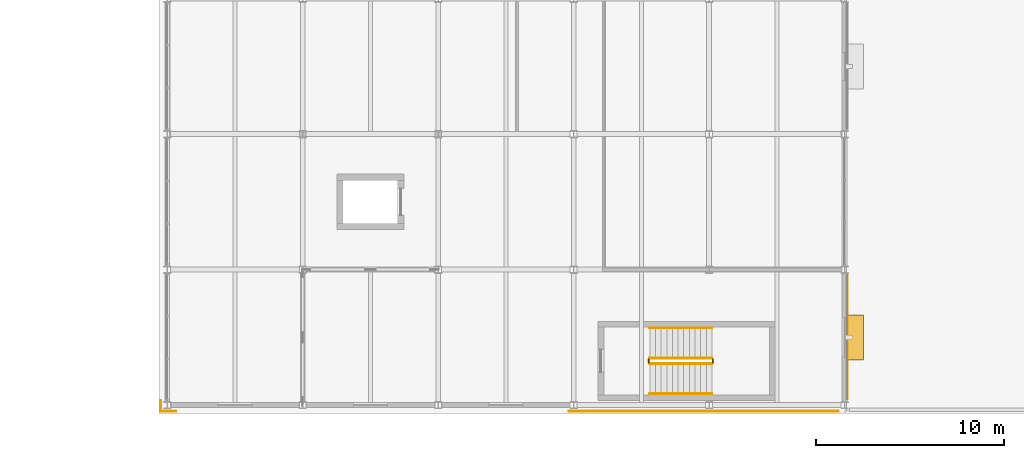
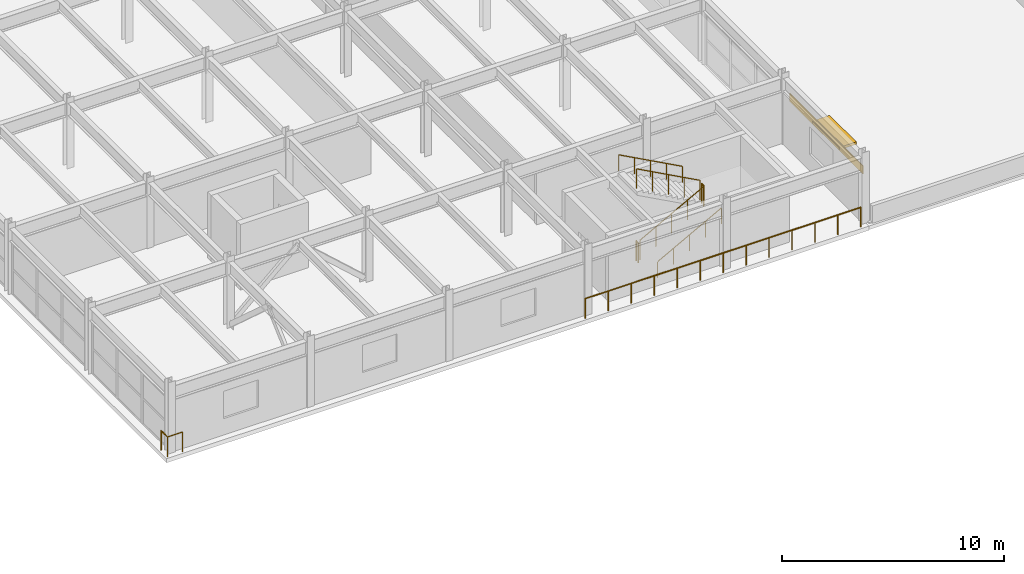
# One storey, part 71 of 80: 9 railings, 1 covering, 1 shading device.
"""IFC4 building model written with IfcOpenShell, lengths in metres."""

from ifc_helpers import new_model, si_unit, direction, frame, origin, origin_2d, place, context, subcontext, project, spatial, rectangle, circle, extrude, material, layer, layer_set, type_object, element, save


model = new_model("IFC4")

# Units and contexts
model_context = context("Model", 3, precision=1e-05, world=origin(), true_north=direction((0.0, 1.0)))
body_context = subcontext(model_context, "Body", "Model", "MODEL_VIEW")
ifc_project = project(units=[si_unit("LENGTHUNIT", "METRE"), si_unit("AREAUNIT", "SQUARE_METRE"), si_unit("VOLUMEUNIT", "CUBIC_METRE"), si_unit("PLANEANGLEUNIT", "RADIAN"), si_unit("MASSUNIT", "GRAM", prefix="KILO")], contexts=[model_context])

# Site, building, storey
site_placement = place(None, origin())
site = spatial("IfcSite", under=ifc_project, at=site_placement, CompositionType="ELEMENT")
building_placement = place(site_placement, origin())
building = spatial("IfcBuilding", under=site, at=building_placement, Name="Vaelcorin Mobility Hub", CompositionType="ELEMENT")
storey_placement = place(building_placement, frame((0.0, 0.0, 9.300048828125)))
storey = spatial("IfcBuildingStorey", under=building, at=storey_placement, Name="L02", CompositionType="ELEMENT", Elevation=9.300048828125)

# Covering
ifc_material_1 = material(Name="Extruded terracotta-bronze rainscreen panel", Category="masonry")
ifc_layer_1 = layer(ifc_material_1, 0.034912109375)
ifc_layer_set_1 = layer_set([ifc_layer_1], Name="Extruded terracotta-bronze rainscreen panel")
covering_type = type_object("IfcCoveringType", Name="COV-CLAD-35", PredefinedType="CLADDING", material=ifc_layer_set_1)
covering_placement = place(storey_placement, frame((189.739990234375, 9.60009765625, 2.35302734375), z_axis=(0.0, 0.0, 1.0), x_axis=(1.0, 0.0, 0.0)))
element("IfcCovering", 1, at=covering_placement, inside=storey, type_object=covering_type, Name="Terracotta-Bronze Facade Cladding L02-01", PredefinedType="CLADDING", context=body_context, shape_type="SweptSolid", body=[
    extrude(rectangle(XDim=0.028076171875, YDim=6.60009765625, at=origin_2d()), origin(), (0.0, 0.0, 1.0), 0.449951171875),
])

# Railings
ifc_material_2 = material(Name="Galvanised structural steel ASTM A36", Category="steel")
ifc_layer_2 = layer(ifc_material_2, 0.070068359375)
ifc_layer_set_2 = layer_set([ifc_layer_2], Name="Galvanised structural steel ASTM A36")
railing_type_1 = type_object("IfcRailingType", Name="RL-GUARD-1100", PredefinedType="BALUSTRADE", material=ifc_layer_set_2)
railing_1_placement = place(storey_placement, frame((174.949951171875, 5.669921875, 0.0)))
element("IfcRailing", 2, at=railing_1_placement, inside=storey, type_object=railing_type_1, Name="L02 Perimeter Guard GR-V5-L02-S-GAP-01", PredefinedType="BALUSTRADE", context=body_context, shape_type="SweptSolid", body=[
    extrude(circle(Radius=0.02392578125, at=origin_2d()), frame((0.0, 0.0, 1.076171875), z_axis=(1.0, 0.0, 0.0), x_axis=(0.0, 1.0, 0.0)), (0.0, 0.0, 1.0), 14.31005859375),
    extrude(circle(Radius=0.02099609375, at=origin_2d()), origin(), (0.0, 0.0, 1.0), 1.052001953125),
    extrude(circle(Radius=0.02099609375, at=origin_2d()), frame((1.1923828125, 0.0, 0.0)), (0.0, 0.0, 1.0), 1.052001953125),
    extrude(circle(Radius=0.02099609375, at=origin_2d()), frame((2.385009765625, 0.0, 0.0)), (0.0, 0.0, 1.0), 1.052001953125),
    extrude(circle(Radius=0.02099609375, at=origin_2d()), frame((3.57763671875, 0.0, 0.0)), (0.0, 0.0, 1.0), 1.052001953125),
    extrude(circle(Radius=0.02099609375, at=origin_2d()), frame((4.77001953125, 0.0, 0.0)), (0.0, 0.0, 1.0), 1.052001953125),
    extrude(circle(Radius=0.02099609375, at=origin_2d()), frame((5.96240234375, 0.0, 0.0)), (0.0, 0.0, 1.0), 1.052001953125),
    extrude(circle(Radius=0.02099609375, at=origin_2d()), frame((7.155029296875, 0.0, 0.0)), (0.0, 0.0, 1.0), 1.052001953125),
    extrude(circle(Radius=0.02099609375, at=origin_2d()), frame((8.34765625, 0.0, 0.0)), (0.0, 0.0, 1.0), 1.052001953125),
    extrude(circle(Radius=0.02099609375, at=origin_2d()), frame((9.5400390625, 0.0, 0.0)), (0.0, 0.0, 1.0), 1.052001953125),
    extrude(circle(Radius=0.02099609375, at=origin_2d()), frame((10.732421875, 0.0, 0.0)), (0.0, 0.0, 1.0), 1.052001953125),
    extrude(circle(Radius=0.02099609375, at=origin_2d()), frame((11.925048828125, 0.0, 0.0)), (0.0, 0.0, 1.0), 1.052001953125),
    extrude(circle(Radius=0.02099609375, at=origin_2d()), frame((13.11767578125, 0.0, 0.0)), (0.0, 0.0, 1.0), 1.052001953125),
    extrude(circle(Radius=0.02099609375, at=origin_2d()), frame((14.31005859375, 0.0, 0.0)), (0.0, 0.0, 1.0), 1.052001953125),
])
railing_2_placement = place(storey_placement, frame((153.27001953125, 6.25, 0.0)))
element("IfcRailing", 3, at=railing_2_placement, inside=storey, type_object=railing_type_1, Name="L02 Perimeter Guard GR-V5-L02-SW-CNR-01", PredefinedType="BALUSTRADE", context=body_context, shape_type="SweptSolid", body=[
    extrude(circle(Radius=0.02392578125, at=origin_2d()), frame((0.0, 0.0, 1.076171875), z_axis=(0.0, -1.0, 0.0), x_axis=(1.0, 0.0, 0.0)), (0.0, 0.0, 1.0), 0.580078125),
    extrude(circle(Radius=0.02099609375, at=origin_2d()), origin(), (0.0, 0.0, 1.0), 1.052001953125),
    extrude(circle(Radius=0.02099609375, at=origin_2d()), frame((0.0, -0.580078125, 0.0)), (0.0, 0.0, 1.0), 1.052001953125),
])
railing_3_placement = place(storey_placement, frame((153.27001953125, 5.669921875, 0.0)))
element("IfcRailing", 4, at=railing_3_placement, inside=storey, type_object=railing_type_1, Name="L02 Perimeter Guard GR-V5-L02-SW-CNR-02", PredefinedType="BALUSTRADE", context=body_context, shape_type="SweptSolid", body=[
    extrude(circle(Radius=0.02392578125, at=origin_2d()), frame((0.0, 0.0, 1.076171875), z_axis=(1.0, 0.0, 0.0), x_axis=(0.0, 1.0, 0.0)), (0.0, 0.0, 1.0), 0.780029296875),
    extrude(circle(Radius=0.02099609375, at=origin_2d()), origin(), (0.0, 0.0, 1.0), 1.052001953125),
    extrude(circle(Radius=0.02099609375, at=origin_2d()), frame((0.780029296875, 0.0, 0.0)), (0.0, 0.0, 1.0), 1.052001953125),
])
ifc_material_3 = material(Name="Brushed stainless steel 316L", Category="steel")
ifc_layer_3 = layer(ifc_material_3, 0.048095703125)
ifc_layer_set_3 = layer_set([ifc_layer_3], Name="Brushed stainless steel 316L")
railing_type_2 = type_object("IfcRailingType", Name="RL-STAIR-GRD", PredefinedType="GUARDRAIL", material=ifc_layer_set_3)
railing_4_placement = place(storey_placement, frame((179.25, 8.199951171875, 0.162353515625)))
element("IfcRailing", 5, at=railing_4_placement, inside=storey, type_object=railing_type_2, Name="L02 ST5 stair guard 1", PredefinedType="GUARDRAIL", context=body_context, shape_type="SweptSolid", body=[
    extrude(circle(Radius=0.02392578125, at=origin_2d()), frame((0.0, 0.0, 1.076171875), z_axis=(0.879284020681, 0.0, 0.476297817521), x_axis=(0.0, 1.0, 0.0)), (0.0, 0.0, 1.0), 3.753173828125),
    extrude(circle(Radius=0.02099609375, at=origin_2d()), origin(), (0.0, 0.0, 1.0), 1.052001953125),
    extrude(circle(Radius=0.02099609375, at=origin_2d()), frame((0.824951171875, 0.0, 0.44677734375)), (0.0, 0.0, 1.0), 1.052001953125),
    extrude(circle(Radius=0.02099609375, at=origin_2d()), frame((1.64990234375, 0.0, 0.893798828125)), (0.0, 0.0, 1.0), 1.052001953125),
    extrude(circle(Radius=0.02099609375, at=origin_2d()), frame((2.47509765625, 0.0, 1.3408203125)), (0.0, 0.0, 1.0), 1.052001953125),
    extrude(circle(Radius=0.02099609375, at=origin_2d()), frame((3.300048828125, 0.0, 1.78759765625)), (0.0, 0.0, 1.0), 1.052001953125),
])
railing_5_placement = place(storey_placement, frame((182.60009765625, 8.25, 1.949951171875)))
element("IfcRailing", 6, at=railing_5_placement, inside=storey, type_object=railing_type_2, Name="L02 ST5 stair guard 2", PredefinedType="GUARDRAIL", context=body_context, shape_type="SweptSolid", body=[
    extrude(circle(Radius=0.02392578125, at=origin_2d()), frame((0.0, 0.0, 1.076171875), z_axis=(0.0, 1.0, 0.0), x_axis=(-1.0, 0.0, 0.0)), (0.0, 0.0, 1.0), 0.199951171875),
    extrude(circle(Radius=0.02099609375, at=origin_2d()), origin(), (0.0, 0.0, 1.0), 1.052001953125),
    extrude(circle(Radius=0.02099609375, at=origin_2d()), frame((0.0, 0.199951171875, 0.0)), (0.0, 0.0, 1.0), 1.052001953125),
])
railing_6_placement = place(storey_placement, frame((182.550048828125, 8.5, 2.112548828125)))
element("IfcRailing", 7, at=railing_6_placement, inside=storey, type_object=railing_type_2, Name="L02 ST5 stair guard 3", PredefinedType="GUARDRAIL", context=body_context, shape_type="SweptSolid", body=[
    extrude(circle(Radius=0.02392578125, at=origin_2d()), frame((0.0, 0.0, 1.076171875), z_axis=(-0.879311263194, 0.0, 0.47624752222), x_axis=(0.0, -1.0, 0.0)), (0.0, 0.0, 1.0), 3.7529296875),
    extrude(circle(Radius=0.02099609375, at=origin_2d()), origin(), (0.0, 0.0, 1.0), 1.052001953125),
    extrude(circle(Radius=0.02099609375, at=origin_2d()), frame((-0.824951171875, 0.0, 0.44677734375)), (0.0, 0.0, 1.0), 1.052001953125),
    extrude(circle(Radius=0.02099609375, at=origin_2d()), frame((-1.64990234375, 0.0, 0.8935546875)), (0.0, 0.0, 1.0), 1.052001953125),
    extrude(circle(Radius=0.02099609375, at=origin_2d()), frame((-2.47509765625, 0.0, 1.340576171875)), (0.0, 0.0, 1.0), 1.052001953125),
    extrude(circle(Radius=0.02099609375, at=origin_2d()), frame((-3.300048828125, 0.0, 1.787353515625)), (0.0, 0.0, 1.0), 1.052001953125),
])
railing_7_placement = place(storey_placement, frame((179.199951171875, 8.25, 0.0)))
element("IfcRailing", 8, at=railing_7_placement, inside=storey, type_object=railing_type_2, Name="L02 ST5 stair guard 4", PredefinedType="GUARDRAIL", context=body_context, shape_type="SweptSolid", body=[
    extrude(circle(Radius=0.02392578125, at=origin_2d()), frame((0.0, 0.0, 1.076171875), z_axis=(0.0, 1.0, 0.0), x_axis=(-1.0, 0.0, 0.0)), (0.0, 0.0, 1.0), 0.199951171875),
    extrude(circle(Radius=0.02099609375, at=origin_2d()), origin(), (0.0, 0.0, 1.0), 1.052001953125),
    extrude(circle(Radius=0.02099609375, at=origin_2d()), frame((0.0, 0.199951171875, 0.0)), (0.0, 0.0, 1.0), 1.052001953125),
])
ifc_layer_4 = layer(ifc_material_3, 0.048095703125)
ifc_layer_set_4 = layer_set([ifc_layer_4], Name="Brushed stainless steel 316L")
railing_type_3 = type_object("IfcRailingType", Name="RL-STAIR-HR", PredefinedType="HANDRAIL", material=ifc_layer_set_4)
railing_8_placement = place(storey_placement, frame((179.25, 6.60009765625, 0.162353515625)))
element("IfcRailing", 9, at=railing_8_placement, inside=storey, type_object=railing_type_3, Name="L02 ST5 stair handrail 1", PredefinedType="HANDRAIL", context=body_context, shape_type="SweptSolid", body=[
    extrude(circle(Radius=0.02392578125, at=origin_2d()), frame((0.0, 0.0, 0.8759765625), z_axis=(0.879284020681, 0.0, 0.476297817521), x_axis=(0.0, 1.0, 0.0)), (0.0, 0.0, 1.0), 3.753173828125),
    extrude(circle(Radius=0.02099609375, at=origin_2d()), origin(), (0.0, 0.0, 1.0), 0.851806640625),
    extrude(circle(Radius=0.02099609375, at=origin_2d()), frame((0.824951171875, 0.0, 0.44677734375)), (0.0, 0.0, 1.0), 0.851806640625),
    extrude(circle(Radius=0.02099609375, at=origin_2d()), frame((1.64990234375, 0.0, 0.893798828125)), (0.0, 0.0, 1.0), 0.851806640625),
    extrude(circle(Radius=0.02099609375, at=origin_2d()), frame((2.47509765625, 0.0, 1.3408203125)), (0.0, 0.0, 1.0), 0.851806640625),
    extrude(circle(Radius=0.02099609375, at=origin_2d()), frame((3.300048828125, 0.0, 1.78759765625)), (0.0, 0.0, 1.0), 0.851806640625),
])
railing_9_placement = place(storey_placement, frame((182.550048828125, 10.10009765625, 2.112548828125)))
element("IfcRailing", 10, at=railing_9_placement, inside=storey, type_object=railing_type_3, Name="L02 ST5 stair handrail 2", PredefinedType="HANDRAIL", context=body_context, shape_type="SweptSolid", body=[
    extrude(circle(Radius=0.02392578125, at=origin_2d()), frame((0.0, 0.0, 0.8759765625), z_axis=(-0.879311263194, 0.0, 0.47624752222), x_axis=(0.0, -1.0, 0.0)), (0.0, 0.0, 1.0), 3.7529296875),
    extrude(circle(Radius=0.02099609375, at=origin_2d()), origin(), (0.0, 0.0, 1.0), 0.851806640625),
    extrude(circle(Radius=0.02099609375, at=origin_2d()), frame((-0.824951171875, 0.0, 0.44677734375)), (0.0, 0.0, 1.0), 0.851806640625),
    extrude(circle(Radius=0.02099609375, at=origin_2d()), frame((-1.64990234375, 0.0, 0.8935546875)), (0.0, 0.0, 1.0), 0.851806640625),
    extrude(circle(Radius=0.02099609375, at=origin_2d()), frame((-2.47509765625, 0.0, 1.340576171875)), (0.0, 0.0, 1.0), 0.851806640625),
    extrude(circle(Radius=0.02099609375, at=origin_2d()), frame((-3.300048828125, 0.0, 1.787353515625)), (0.0, 0.0, 1.0), 0.851806640625),
])

# Shading device
ifc_material_4 = material(Name="Perforated terracotta-bronze aluminium aerofoil", Category="masonry")
shading_device_type = type_object("IfcShadingDeviceType", Name="SHD-JAL-1", PredefinedType="JALOUSIE", material=ifc_material_4)
shading_device_placement = place(storey_placement, frame((190.14990234375, 9.60009765625, 2.408203125), z_axis=(0.0, 0.0, 1.0), x_axis=(1.0, 0.0, 0.0)))
element("IfcShadingDevice", 11, at=shading_device_placement, inside=storey, type_object=shading_device_type, Name="Jalousie Sun-Hood L02-01", PredefinedType="JALOUSIE", context=body_context, shape_type="SweptSolid", body=[
    extrude(rectangle(XDim=0.89990234375, YDim=2.39990234375, at=origin_2d()), origin(), (0.0, 0.0, 1.0), 0.139892578125),
])

save(model, "model.ifc")
